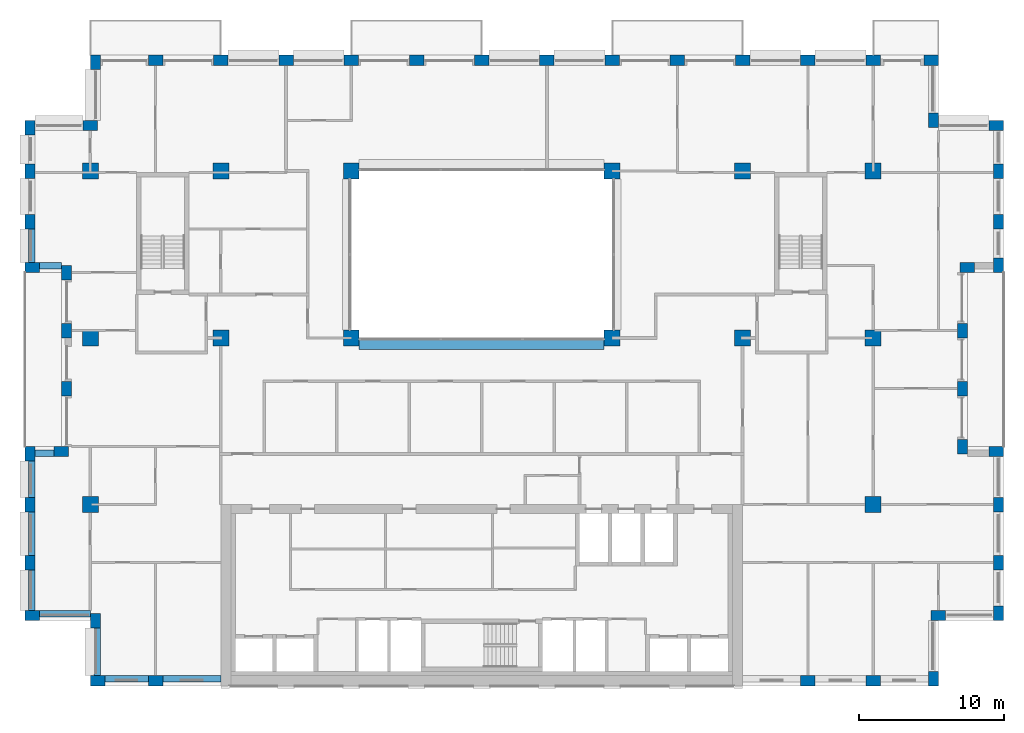
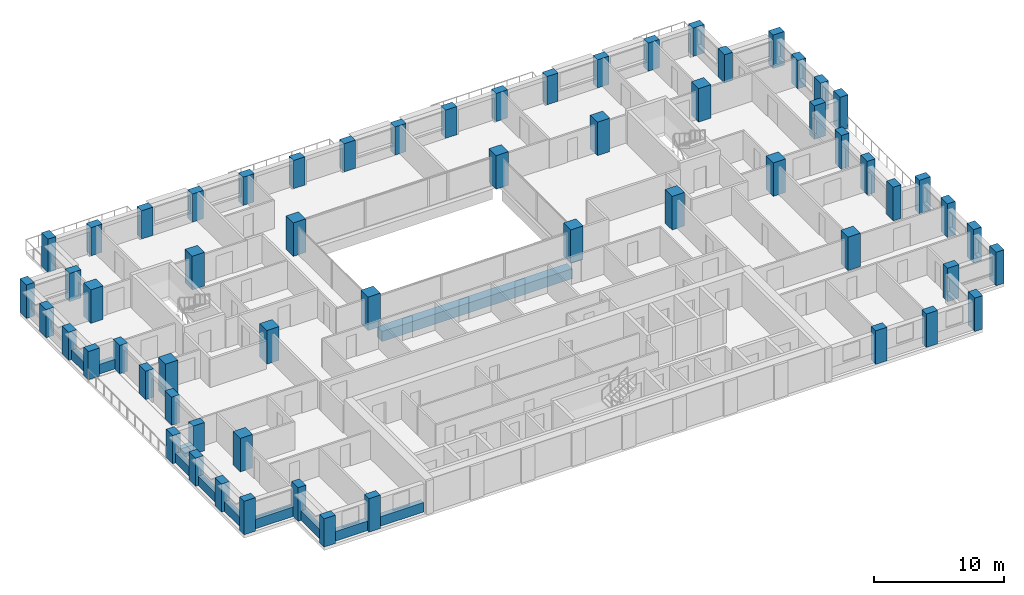
# One storey, part 1 of 16: 61 columns, 11 beams.
"""IFC4 building model written with IfcOpenShell, lengths in metres."""

from ifc_helpers import new_model, si_unit, direction, frame, origin, origin_2d, place, context, subcontext, project, spatial, rectangle, extrude, material, material_profile, profile_set, type_object, element, save


model = new_model("IFC4")

# Units and contexts
model_context = context("Model", 3, precision=1e-05, world=origin(), true_north=direction((0.0, 1.0)))
body_context = subcontext(model_context, "Body", "Model", "MODEL_VIEW")
ifc_project = project(units=[si_unit("LENGTHUNIT", "METRE"), si_unit("AREAUNIT", "SQUARE_METRE"), si_unit("VOLUMEUNIT", "CUBIC_METRE"), si_unit("PLANEANGLEUNIT", "RADIAN"), si_unit("MASSUNIT", "GRAM", prefix="KILO")], contexts=[model_context])

# Site, building, storey
site_placement = place(None, origin())
site = spatial("IfcSite", under=ifc_project, at=site_placement, CompositionType="ELEMENT")
building_placement = place(site_placement, origin())
building = spatial("IfcBuilding", under=site, at=building_placement, Name="Brigalow Station Residences", CompositionType="ELEMENT")
storey_placement = place(building_placement, frame((0.0, 0.0, 182.25)))
storey = spatial("IfcBuildingStorey", under=building, at=storey_placement, Name="L53", CompositionType="ELEMENT", Elevation=182.25)

# Columns
ifc_material_1 = material(Name="Concrete C65", Category="concrete")
ifc_material_profile_1 = material_profile(ifc_material_1, rectangle(XDim=1.10009765625, YDim=1.10009765625, at=origin_2d()), Name="RC1100x1100")
ifc_profile_set_1 = profile_set([ifc_material_profile_1], Name="Concrete C65")
column_type_1 = type_object("IfcColumnType", Name="COLUMN 1100x1100 C65", PredefinedType="COLUMN", material=ifc_profile_set_1)
for number, where, z_axis, x_axis, name in (
    (1, (9.0, 24.0, 0.0), (0.0, 0.0, 1.0), (1.0, 0.0, 0.0), "COLUMN C1 L53"),
    (2, (18.0, 24.0, 0.0), (0.0, 0.0, 1.0), (1.0, 0.0, 0.0), "COLUMN C2 L53"),
    (3, (27.0, 24.0, 0.0), (0.0, 0.0, 1.0), (1.0, 0.0, 0.0), "COLUMN C3 L53"),
    (4, (45.0, 24.0, 0.0), (0.0, 0.0, 1.0), (1.0, 0.0, 0.0), "COLUMN C5 L53"),
    (5, (54.0, 24.0, 0.0), (0.0, 0.0, 1.0), (1.0, 0.0, 0.0), "COLUMN C6 L53"),
    (6, (63.0, 24.0, 0.0), (0.0, 0.0, 1.0), (1.0, 0.0, 0.0), "COLUMN C7 L53"),
    (7, (9.0, 35.5, 0.0), (0.0, 0.0, 1.0), (1.0, 0.0, 0.0), "COLUMN D1 L53"),
    (8, (18.0, 35.5, 0.0), (0.0, 0.0, 1.0), (1.0, 0.0, 0.0), "COLUMN D2 L53"),
    (9, (27.0, 35.5, 0.0), (0.0, 0.0, 1.0), (1.0, 0.0, 0.0), "COLUMN D3 L53"),
    (10, (45.0, 35.5, 0.0), (0.0, 0.0, 1.0), (1.0, 0.0, 0.0), "COLUMN D5 L53"),
    (11, (54.0, 35.5, 0.0), (0.0, 0.0, 1.0), (1.0, 0.0, 0.0), "COLUMN D6 L53"),
    (12, (63.0, 35.5, 0.0), (0.0, 0.0, 1.0), (1.0, 0.0, 0.0), "COLUMN D7 L53"),
    (13, (9.0, 12.5, 0.0), (0.0, 0.0, 1.0), (1.0, 0.0, 0.0), "COLUMN B1 L53"),
    (14, (63.0, 12.5, 0.0), (0.0, 0.0, 1.0), (1.0, 0.0, 0.0), "COLUMN B7 L53"),
):
    element("IfcColumn", number, at=place(storey_placement, frame(where, z_axis=z_axis, x_axis=x_axis)), inside=storey, type_object=column_type_1, Name=name, PredefinedType="COLUMN", context=body_context, shape_type="SweptSolid", body=[
        extrude(rectangle(XDim=1.10009765625, YDim=1.10009765625, at=origin_2d()), origin(), (0.0, 0.0, 1.0), 3.14990234375),
    ])
ifc_material_2 = material(Name="Concrete C65", Category="concrete")
ifc_material_profile_2 = material_profile(ifc_material_2, rectangle(XDim=1.0, YDim=0.699951171875, at=origin_2d()), Name="RC1000x700")
ifc_profile_set_2 = profile_set([ifc_material_profile_2], Name="Concrete C65")
column_type_2 = type_object("IfcColumnType", Name="PIER 1000x700 C65", PredefinedType="USERDEFINED", material=ifc_profile_set_2)
for number, where, z_axis, x_axis, name in (
    (15, (13.5, 0.35009765625, 0.0), (0.0, 0.0, 1.0), (1.0, 0.0, 0.0), "PIER S-2 L53"),
    (16, (58.5, 0.35009765625, 0.0), (0.0, 0.0, 1.0), (1.0, 0.0, 0.0), "PIER S-12 L53"),
    (17, (63.0, 0.35009765625, 0.0), (0.0, 0.0, 1.0), (1.0, 0.0, 0.0), "PIER S-13 L53"),
    (18, (67.14990234375, 0.5, 0.0), (0.0, 0.0, 1.0), (0.0, 1.0, 0.0), "PIER SE1-1 L53"),
    (19, (67.5, 4.85009765625, 0.0), (0.0, 0.0, 1.0), (1.0, 0.0, 0.0), "PIER SE2-1 L53"),
    (20, (71.64990234375, 5.0, 0.0), (0.0, 0.0, 1.0), (0.0, 1.0, 0.0), "PIER E1-1 L53"),
    (21, (71.64990234375, 8.5, 0.0), (0.0, 0.0, 1.0), (0.0, 1.0, 0.0), "PIER E1-2 L53"),
    (22, (71.64990234375, 12.5, 0.0), (0.0, 0.0, 1.0), (0.0, 1.0, 0.0), "PIER E1-3 L53"),
    (23, (71.5, 16.14990234375, 0.0), (0.0, 0.0, 1.0), (-1.0, 0.0, 0.0), "PIER EL1-1 L53"),
    (24, (69.14990234375, 16.5, 0.0), (0.0, 0.0, 1.0), (0.0, 1.0, 0.0), "PIER EL2-1 L53"),
    (25, (69.14990234375, 20.5, 0.0), (0.0, 0.0, 1.0), (0.0, 1.0, 0.0), "PIER EL2-2 L53"),
    (26, (69.14990234375, 24.5, 0.0), (0.0, 0.0, 1.0), (0.0, 1.0, 0.0), "PIER EL2-3 L53"),
    (27, (69.5, 28.85009765625, 0.0), (0.0, 0.0, 1.0), (1.0, 0.0, 0.0), "PIER EL3-1 L53"),
    (28, (71.64990234375, 29.0, 0.0), (0.0, 0.0, 1.0), (0.0, 1.0, 0.0), "PIER E2-1 L53"),
    (29, (71.5, 38.64990234375, 0.0), (0.0, 0.0, 1.0), (-1.0, 0.0, 0.0), "PIER NE1-1 L53"),
    (30, (9.35009765625, 43.0, 0.0), (0.0, 0.0, 1.0), (0.0, -1.0, 0.0), "PIER NW1-1 L53"),
    (31, (4.85009765625, 38.5, 0.0), (0.0, 0.0, 1.0), (0.0, -1.0, 0.0), "PIER W2-1 L53"),
    (32, (5.0, 4.85009765625, 0.0), (0.0, 0.0, 1.0), (1.0, 0.0, 0.0), "PIER SW1-1 L53"),
    (33, (9.35009765625, 4.5, 0.0), (0.0, 0.0, 1.0), (0.0, -1.0, 0.0), "PIER SW2-1 L53"),
):
    element("IfcColumn", number, at=place(storey_placement, frame(where, z_axis=z_axis, x_axis=x_axis)), inside=storey, type_object=column_type_2, Name=name, ObjectType="PIER", PredefinedType="USERDEFINED", context=body_context, shape_type="SweptSolid", body=[
        extrude(rectangle(XDim=1.0, YDim=0.699951171875, at=origin_2d()), origin(), (0.0, 0.0, 1.0), 3.14990234375),
    ])
ifc_material_3 = material(Name="Concrete C65", Category="concrete")
ifc_material_profile_3 = material_profile(ifc_material_3, rectangle(XDim=1.0, YDim=0.699951171875, at=origin_2d()), Name="RC1000x700")
ifc_profile_set_3 = profile_set([ifc_material_profile_3], Name="Concrete C65")
column_type_3 = type_object("IfcColumnType", Name="PIER UNDER KINK 1000x700 C65", PredefinedType="USERDEFINED", material=ifc_profile_set_3)
for number, where, z_axis, x_axis, name in (
    (34, (9.5, 0.35009765625, 0.0), (0.0, 0.0, 1.0), (1.0, 0.0, 0.0), "PIER S-1 L53"),
    (35, (71.64990234375, 32.0, 0.0), (0.0, 0.0, 1.0), (0.0, 1.0, 0.0), "PIER E2-2 L53"),
    (36, (71.64990234375, 35.5, 0.0), (0.0, 0.0, 1.0), (0.0, 1.0, 0.0), "PIER E2-3 L53"),
    (37, (67.14990234375, 39.0, 0.0), (0.0, 0.0, 1.0), (0.0, 1.0, 0.0), "PIER NE2-1 L53"),
    (38, (67.0, 43.14990234375, 0.0), (0.0, 0.0, 1.0), (-1.0, 0.0, 0.0), "PIER N-1 L53"),
    (39, (63.0, 43.14990234375, 0.0), (0.0, 0.0, 1.0), (-1.0, 0.0, 0.0), "PIER N-2 L53"),
    (40, (58.5, 43.14990234375, 0.0), (0.0, 0.0, 1.0), (-1.0, 0.0, 0.0), "PIER N-3 L53"),
    (41, (54.0, 43.14990234375, 0.0), (0.0, 0.0, 1.0), (-1.0, 0.0, 0.0), "PIER N-4 L53"),
    (42, (49.5, 43.14990234375, 0.0), (0.0, 0.0, 1.0), (-1.0, 0.0, 0.0), "PIER N-5 L53"),
    (43, (45.0, 43.14990234375, 0.0), (0.0, 0.0, 1.0), (-1.0, 0.0, 0.0), "PIER N-6 L53"),
    (44, (40.5, 43.14990234375, 0.0), (0.0, 0.0, 1.0), (-1.0, 0.0, 0.0), "PIER N-7 L53"),
    (45, (36.0, 43.14990234375, 0.0), (0.0, 0.0, 1.0), (-1.0, 0.0, 0.0), "PIER N-8 L53"),
    (46, (31.5, 43.14990234375, 0.0), (0.0, 0.0, 1.0), (-1.0, 0.0, 0.0), "PIER N-9 L53"),
    (47, (27.0, 43.14990234375, 0.0), (0.0, 0.0, 1.0), (-1.0, 0.0, 0.0), "PIER N-10 L53"),
    (48, (22.5, 43.14990234375, 0.0), (0.0, 0.0, 1.0), (-1.0, 0.0, 0.0), "PIER N-11 L53"),
    (49, (18.0, 43.14990234375, 0.0), (0.0, 0.0, 1.0), (-1.0, 0.0, 0.0), "PIER N-12 L53"),
    (50, (13.5, 43.14990234375, 0.0), (0.0, 0.0, 1.0), (-1.0, 0.0, 0.0), "PIER N-13 L53"),
    (51, (9.0, 38.64990234375, 0.0), (0.0, 0.0, 1.0), (-1.0, 0.0, 0.0), "PIER NW2-1 L53"),
    (52, (4.85009765625, 35.5, 0.0), (0.0, 0.0, 1.0), (0.0, -1.0, 0.0), "PIER W2-2 L53"),
    (53, (4.85009765625, 32.0, 0.0), (0.0, 0.0, 1.0), (0.0, -1.0, 0.0), "PIER W2-3 L53"),
    (54, (5.0, 28.85009765625, 0.0), (0.0, 0.0, 1.0), (1.0, 0.0, 0.0), "PIER WL1-1 L53"),
    (55, (7.35009765625, 28.5, 0.0), (0.0, 0.0, 1.0), (0.0, -1.0, 0.0), "PIER WL2-1 L53"),
    (56, (7.35009765625, 24.5, 0.0), (0.0, 0.0, 1.0), (0.0, -1.0, 0.0), "PIER WL2-2 L53"),
    (57, (7.35009765625, 20.5, 0.0), (0.0, 0.0, 1.0), (0.0, -1.0, 0.0), "PIER WL2-3 L53"),
    (58, (7.0, 16.14990234375, 0.0), (0.0, 0.0, 1.0), (-1.0, 0.0, 0.0), "PIER WL3-1 L53"),
    (59, (4.85009765625, 16.0, 0.0), (0.0, 0.0, 1.0), (0.0, -1.0, 0.0), "PIER W1-1 L53"),
    (60, (4.85009765625, 12.5, 0.0), (0.0, 0.0, 1.0), (0.0, -1.0, 0.0), "PIER W1-2 L53"),
    (61, (4.85009765625, 8.5, 0.0), (0.0, 0.0, 1.0), (0.0, -1.0, 0.0), "PIER W1-3 L53"),
):
    element("IfcColumn", number, at=place(storey_placement, frame(where, z_axis=z_axis, x_axis=x_axis)), inside=storey, type_object=column_type_3, Name=name, ObjectType="PIER", PredefinedType="USERDEFINED", context=body_context, shape_type="SweptSolid", body=[
        extrude(rectangle(XDim=1.0, YDim=0.699951171875, at=origin_2d()), origin(), (0.0, 0.0, 1.0), 2.64990234375),
    ])

# Beams
ifc_material_4 = material(Name="Concrete C65", Category="concrete")
ifc_material_profile_4 = material_profile(ifc_material_4, rectangle(XDim=0.800048828125, YDim=0.949951171875, at=origin_2d()), Name="RC800x950")
ifc_profile_set_4 = profile_set([ifc_material_profile_4], Name="Concrete C65")
beam_type_1 = type_object("IfcBeamType", Name="ATRIUM EDGE GIRDER OVER 13.5 M SPAN 800x950 C65", PredefinedType="BEAM", material=ifc_profile_set_4)
beam_1_placement = place(storey_placement, frame((27.550048828125, 23.60009765625, -0.794921875), z_axis=(1.0, 0.0, 0.0), x_axis=(0.0, 1.0, 0.0)))
element("IfcBeam", 62, at=beam_1_placement, inside=storey, type_object=beam_type_1, Name="ATRIUM EDGE GIRDER C L53", PredefinedType="BEAM", context=body_context, shape_type="SweptSolid", body=[
    extrude(rectangle(XDim=0.800048828125, YDim=0.949951171875, at=origin_2d()), origin(), (0.0, 0.0, 1.0), 16.89990234375),
])
ifc_material_5 = material(Name="Concrete C50", Category="concrete")
ifc_material_profile_5 = material_profile(ifc_material_5, rectangle(XDim=0.449951171875, YDim=0.89990234375, at=origin_2d()), Name="RC450x900")
ifc_profile_set_5 = profile_set([ifc_material_profile_5], Name="Concrete C50")
beam_type_2 = type_object("IfcBeamType", Name="SPANDREL BEAM 450x900 C50", PredefinedType="SPANDREL", material=ifc_profile_set_5)
beam_2_placement = place(storey_placement, frame((10.0, 0.47509765625, 0.449951171875), z_axis=(1.0, 0.0, 0.0), x_axis=(0.0, 1.0, 0.0)))
element("IfcBeam", 63, at=beam_2_placement, inside=storey, type_object=beam_type_2, Name="L53/spandrel/W-L53-1", PredefinedType="SPANDREL", context=body_context, shape_type="SweptSolid", body=[
    extrude(rectangle(XDim=0.449951171875, YDim=0.89990234375, at=origin_2d()), origin(), (0.0, 0.0, 1.0), 3.0),
])
beam_3_placement = place(storey_placement, frame((14.0, 0.47509765625, 0.449951171875), z_axis=(1.0, 0.0, 0.0), x_axis=(0.0, 1.0, 0.0)))
element("IfcBeam", 64, at=beam_3_placement, inside=storey, type_object=beam_type_2, Name="L53/spandrel/W-L53-2", PredefinedType="SPANDREL", context=body_context, shape_type="SweptSolid", body=[
    extrude(rectangle(XDim=0.449951171875, YDim=0.89990234375, at=origin_2d()), origin(), (0.0, 0.0, 1.0), 4.0),
])
beam_4_placement = place(storey_placement, frame((4.97509765625, 31.5, 0.449951171875), z_axis=(0.0, -1.0, 0.0), x_axis=(1.0, 0.0, 0.0)))
element("IfcBeam", 65, at=beam_4_placement, inside=storey, type_object=beam_type_2, Name="L53/spandrel/W-L53-39", PredefinedType="SPANDREL", context=body_context, shape_type="SweptSolid", body=[
    extrude(rectangle(XDim=0.449951171875, YDim=0.89990234375, at=origin_2d()), origin(), (0.0, 0.0, 1.0), 2.300048828125),
])
beam_5_placement = place(storey_placement, frame((5.5, 28.97509765625, 0.449951171875), z_axis=(1.0, 0.0, 0.0), x_axis=(0.0, 1.0, 0.0)))
element("IfcBeam", 66, at=beam_5_placement, inside=storey, type_object=beam_type_2, Name="L53/spandrel/W-L53-40", PredefinedType="SPANDREL", context=body_context, shape_type="SweptSolid", body=[
    extrude(rectangle(XDim=0.449951171875, YDim=0.89990234375, at=origin_2d()), origin(), (0.0, 0.0, 1.0), 1.5),
])
beam_6_placement = place(storey_placement, frame((6.5, 16.02490234375, 0.449951171875), z_axis=(-1.0, 0.0, 0.0), x_axis=(0.0, -1.0, 0.0)))
element("IfcBeam", 67, at=beam_6_placement, inside=storey, type_object=beam_type_2, Name="L53/spandrel/W-L53-44", PredefinedType="SPANDREL", context=body_context, shape_type="SweptSolid", body=[
    extrude(rectangle(XDim=0.449951171875, YDim=0.89990234375, at=origin_2d()), origin(), (0.0, 0.0, 1.0), 1.300048828125),
])
beam_7_placement = place(storey_placement, frame((4.97509765625, 15.5, 0.449951171875), z_axis=(0.0, -1.0, 0.0), x_axis=(1.0, 0.0, 0.0)))
element("IfcBeam", 68, at=beam_7_placement, inside=storey, type_object=beam_type_2, Name="L53/spandrel/W-L53-45", PredefinedType="SPANDREL", context=body_context, shape_type="SweptSolid", body=[
    extrude(rectangle(XDim=0.449951171875, YDim=0.89990234375, at=origin_2d()), origin(), (0.0, 0.0, 1.0), 2.5),
])
beam_8_placement = place(storey_placement, frame((4.97509765625, 12.0, 0.449951171875), z_axis=(0.0, -1.0, 0.0), x_axis=(1.0, 0.0, 0.0)))
element("IfcBeam", 69, at=beam_8_placement, inside=storey, type_object=beam_type_2, Name="L53/spandrel/W-L53-46", PredefinedType="SPANDREL", context=body_context, shape_type="SweptSolid", body=[
    extrude(rectangle(XDim=0.449951171875, YDim=0.89990234375, at=origin_2d()), origin(), (0.0, 0.0, 1.0), 3.0),
])
beam_9_placement = place(storey_placement, frame((4.97509765625, 8.0, 0.449951171875), z_axis=(0.0, -1.0, 0.0), x_axis=(1.0, 0.0, 0.0)))
element("IfcBeam", 70, at=beam_9_placement, inside=storey, type_object=beam_type_2, Name="L53/spandrel/W-L53-47", PredefinedType="SPANDREL", context=body_context, shape_type="SweptSolid", body=[
    extrude(rectangle(XDim=0.449951171875, YDim=0.89990234375, at=origin_2d()), origin(), (0.0, 0.0, 1.0), 2.800048828125),
])
beam_10_placement = place(storey_placement, frame((5.5, 4.97509765625, 0.449951171875), z_axis=(1.0, 0.0, 0.0), x_axis=(0.0, 1.0, 0.0)))
element("IfcBeam", 71, at=beam_10_placement, inside=storey, type_object=beam_type_2, Name="L53/spandrel/W-L53-48", PredefinedType="SPANDREL", context=body_context, shape_type="SweptSolid", body=[
    extrude(rectangle(XDim=0.449951171875, YDim=0.89990234375, at=origin_2d()), origin(), (0.0, 0.0, 1.0), 3.5),
])
beam_11_placement = place(storey_placement, frame((9.47509765625, 4.0, 0.449951171875), z_axis=(0.0, -1.0, 0.0), x_axis=(1.0, 0.0, 0.0)))
element("IfcBeam", 72, at=beam_11_placement, inside=storey, type_object=beam_type_2, Name="L53/spandrel/W-L53-49", PredefinedType="SPANDREL", context=body_context, shape_type="SweptSolid", body=[
    extrude(rectangle(XDim=0.449951171875, YDim=0.89990234375, at=origin_2d()), origin(), (0.0, 0.0, 1.0), 3.300048828125),
])

save(model, "model.ifc")
